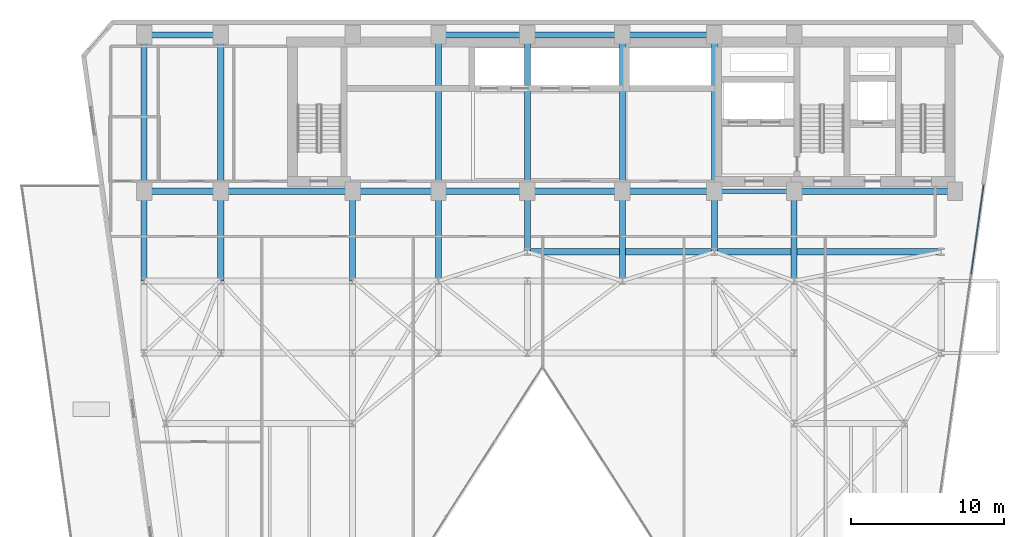
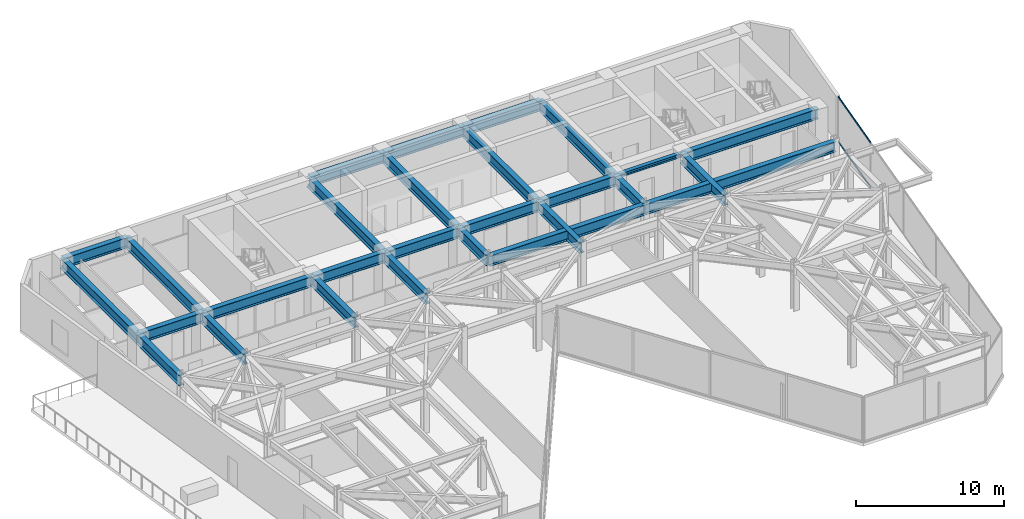
# One storey, part 17 of 24: 28 beams, 2 members, 1 element without a shape of its own.
"""IFC4 building model written with IfcOpenShell, lengths in metres."""

from ifc_helpers import new_model, si_unit, direction, frame, origin, origin_2d, place, context, subcontext, project, spatial, hollow_rectangle, i_section, extrude, material, layer, layer_set, material_profile, profile_set, type_object, element, aggregate, save


model = new_model("IFC4")

# Units and contexts
model_context = context("Model", 3, precision=1e-05, world=origin(), true_north=direction((0.0, 1.0)))
body_context = subcontext(model_context, "Body", "Model", "MODEL_VIEW")
ifc_project = project(units=[si_unit("LENGTHUNIT", "METRE"), si_unit("AREAUNIT", "SQUARE_METRE"), si_unit("VOLUMEUNIT", "CUBIC_METRE"), si_unit("PLANEANGLEUNIT", "RADIAN"), si_unit("MASSUNIT", "GRAM", prefix="KILO")], contexts=[model_context])

# Site, building, storey
site_placement = place(None, origin())
site = spatial("IfcSite", under=ifc_project, at=site_placement, CompositionType="ELEMENT")
building_placement = place(site_placement, origin())
building = spatial("IfcBuilding", under=site, at=building_placement, Name="Kravanh Interchange Tower", CompositionType="ELEMENT")
storey_placement = place(building_placement, frame((0.0, 0.0, 96.0)))
storey = spatial("IfcBuildingStorey", under=building, at=storey_placement, Name="L22", CompositionType="ELEMENT", Elevation=96.0)

# Curtain wall, members
ifc_material_1 = material(Name="Anodised Bronze Aluminium", Category="aluminium")
ifc_layer = layer(ifc_material_1, 0.179931640625)
ifc_layer_set = layer_set([ifc_layer], Name="Unitised Curtain Wall System CW-Z2 Mid Office")
curtain_wall_type = type_object("IfcCurtainWallType", Name="Unitised Curtain Wall System CW-Z2 Mid Office", PredefinedType="NOTDEFINED", material=ifc_layer_set)
curtain_wall_placement = place(storey_placement, origin())
curtain_wall = element("IfcCurtainWall", 1, at=curtain_wall_placement, inside=storey, type_object=curtain_wall_type, Name="L22 Unitised Curtain Wall CW-L22-01", PredefinedType="NOTDEFINED")
ifc_material_2 = material(Name="Anodised Bronze Aluminium", Category="aluminium")
ifc_material_profile_1 = material_profile(ifc_material_2, hollow_rectangle(XDim=0.06005859375, YDim=0.139892578125, WallThickness=0.00390625, at=origin_2d()), Name="ALU60X140X4")
ifc_profile_set_1 = profile_set([ifc_material_profile_1], Name="Anodised Bronze Aluminium")
member_type = type_object("IfcMemberType", Name="Curtain Wall Transom ALU60X140X4 Bronze", PredefinedType="USERDEFINED", material=ifc_profile_set_1)
member_1_placement = place(storey_placement, frame((68.36669921875, 37.740478515625, 0.030029296875), z_axis=(-0.139195052528, -0.990264983402, 0.0), x_axis=(0.990264983402, -0.139195052528, 0.0)))
member_1 = element("IfcMember", 2, at=member_1_placement, type_object=member_type, Name="CW-Z2 transom 1.1", ObjectType="TRANSOM", PredefinedType="USERDEFINED", context=body_context, shape_type="SweptSolid", body=[
    extrude(hollow_rectangle(XDim=0.06005859375, YDim=0.139892578125, WallThickness=0.00390625, at=origin_2d()), origin(), (0.0, 0.0, 1.0), 5.819580078125),
])
member_2_placement = place(storey_placement, frame((68.36669921875, 37.740478515625, 3.719970703125), z_axis=(-0.139195052528, -0.990264983402, 0.0), x_axis=(0.990264983402, -0.139195052528, 0.0)))
member_2 = element("IfcMember", 3, at=member_2_placement, type_object=member_type, Name="CW-Z2 transom 1.2", ObjectType="TRANSOM", PredefinedType="USERDEFINED", context=body_context, shape_type="SweptSolid", body=[
    extrude(hollow_rectangle(XDim=0.06005859375, YDim=0.139892578125, WallThickness=0.00390625, at=origin_2d()), origin(), (0.0, 0.0, 1.0), 5.819580078125),
])
aggregate(curtain_wall, [member_1, member_2])

# Beams
ifc_material_3 = material(Name="Structural Steel S355", Category="steel")
ifc_material_profile_2 = material_profile(ifc_material_3, i_section(OverallWidth=0.39990234375, OverallDepth=0.85595703125, WebThickness=0.018310546875, FlangeThickness=0.029296875, FilletRadius=0.02490234375, at=origin_2d()), Name="W33X201")
ifc_profile_set_2 = profile_set([ifc_material_profile_2], Name="Structural Steel S355")
beam_type_1 = type_object("IfcBeamType", Name="Floor Beam W33X201 Structural Steel S355", PredefinedType="BEAM", material=ifc_profile_set_2)
beam_1_placement = place(storey_placement, frame((66.5, 37.35009765625, 3.322021484375), z_axis=(-1.0, 0.0, 0.0), x_axis=(0.0, -1.0, 0.0)))
element("IfcBeam", 4, at=beam_1_placement, inside=storey, type_object=beam_type_1, Name="L22 Primary Floor Girder 5", PredefinedType="BEAM", context=body_context, shape_type="SweptSolid", body=[
    extrude(i_section(OverallWidth=0.39990234375, OverallDepth=0.85595703125, WebThickness=0.018310546875, FlangeThickness=0.029296875, FilletRadius=0.02490234375, at=origin_2d()), origin(), (0.0, 0.0, 1.0), 10.5),
])
beam_2_placement = place(storey_placement, frame((56.0, 37.35009765625, 3.322021484375), z_axis=(0.0, -1.0, 0.0), x_axis=(1.0, 0.0, 0.0)))
element("IfcBeam", 5, at=beam_2_placement, inside=storey, type_object=beam_type_1, Name="L22 Primary Floor Girder 7", PredefinedType="BEAM", context=body_context, shape_type="SweptSolid", body=[
    extrude(i_section(OverallWidth=0.39990234375, OverallDepth=0.85595703125, WebThickness=0.018310546875, FlangeThickness=0.029296875, FilletRadius=0.02490234375, at=origin_2d()), origin(), (0.0, 0.0, 1.0), 5.85009765625),
])
beam_3_placement = place(storey_placement, frame((50.800048828125, 47.550048828125, 3.322021484375), z_axis=(-1.0, 0.0, 0.0), x_axis=(0.0, -1.0, 0.0)))
element("IfcBeam", 6, at=beam_3_placement, inside=storey, type_object=beam_type_1, Name="L22 Primary Floor Girder 8", PredefinedType="BEAM", context=body_context, shape_type="SweptSolid", body=[
    extrude(i_section(OverallWidth=0.39990234375, OverallDepth=0.85595703125, WebThickness=0.018310546875, FlangeThickness=0.029296875, FilletRadius=0.02490234375, at=origin_2d()), origin(), (0.0, 0.0, 1.0), 6.0),
])
beam_4_placement = place(storey_placement, frame((50.800048828125, 47.550048828125, 3.322021484375), z_axis=(0.0, -1.0, 0.0), x_axis=(1.0, 0.0, 0.0)))
element("IfcBeam", 7, at=beam_4_placement, inside=storey, type_object=beam_type_1, Name="L22 Primary Floor Girder 9", PredefinedType="BEAM", context=body_context, shape_type="SweptSolid", body=[
    extrude(i_section(OverallWidth=0.39990234375, OverallDepth=0.85595703125, WebThickness=0.018310546875, FlangeThickness=0.029296875, FilletRadius=0.02490234375, at=origin_2d()), origin(), (0.0, 0.0, 1.0), 10.199951171875),
])
beam_5_placement = place(storey_placement, frame((50.800048828125, 37.35009765625, 3.322021484375), z_axis=(0.0, -1.0, 0.0), x_axis=(1.0, 0.0, 0.0)))
element("IfcBeam", 8, at=beam_5_placement, inside=storey, type_object=beam_type_1, Name="L22 Primary Floor Girder 10", PredefinedType="BEAM", context=body_context, shape_type="SweptSolid", body=[
    extrude(i_section(OverallWidth=0.39990234375, OverallDepth=0.85595703125, WebThickness=0.018310546875, FlangeThickness=0.029296875, FilletRadius=0.02490234375, at=origin_2d()), origin(), (0.0, 0.0, 1.0), 3.9501953125),
])
beam_6_placement = place(storey_placement, frame((50.800048828125, 37.35009765625, 3.322021484375), z_axis=(-1.0, 0.0, 0.0), x_axis=(0.0, -1.0, 0.0)))
element("IfcBeam", 9, at=beam_6_placement, inside=storey, type_object=beam_type_1, Name="L22 Primary Floor Girder 11", PredefinedType="BEAM", context=body_context, shape_type="SweptSolid", body=[
    extrude(i_section(OverallWidth=0.39990234375, OverallDepth=0.85595703125, WebThickness=0.018310546875, FlangeThickness=0.029296875, FilletRadius=0.02490234375, at=origin_2d()), origin(), (0.0, 0.0, 1.0), 6.0),
])
beam_7_placement = place(storey_placement, frame((44.800048828125, 37.35009765625, 3.322021484375), z_axis=(0.0, -1.0, 0.0), x_axis=(1.0, 0.0, 0.0)))
element("IfcBeam", 10, at=beam_7_placement, inside=storey, type_object=beam_type_1, Name="L22 Primary Floor Girder 12", PredefinedType="BEAM", context=body_context, shape_type="SweptSolid", body=[
    extrude(i_section(OverallWidth=0.39990234375, OverallDepth=0.85595703125, WebThickness=0.018310546875, FlangeThickness=0.029296875, FilletRadius=0.02490234375, at=origin_2d()), origin(), (0.0, 0.0, 1.0), 5.85009765625),
])
beam_8_placement = place(storey_placement, frame((44.800048828125, 37.35009765625, 3.322021484375), z_axis=(-1.0, 0.0, 0.0), x_axis=(0.0, -1.0, 0.0)))
element("IfcBeam", 11, at=beam_8_placement, inside=storey, type_object=beam_type_1, Name="L22 Primary Floor Girder 13", PredefinedType="BEAM", context=body_context, shape_type="SweptSolid", body=[
    extrude(i_section(OverallWidth=0.39990234375, OverallDepth=0.85595703125, WebThickness=0.018310546875, FlangeThickness=0.029296875, FilletRadius=0.02490234375, at=origin_2d()), origin(), (0.0, 0.0, 1.0), 6.199951171875),
])
beam_9_placement = place(storey_placement, frame((44.800048828125, 37.35009765625, 3.322021484375), z_axis=(0.0, 1.0, 0.0), x_axis=(-1.0, 0.0, 0.0)))
element("IfcBeam", 12, at=beam_9_placement, inside=storey, type_object=beam_type_1, Name="L22 Primary Floor Girder 14", PredefinedType="BEAM", context=body_context, shape_type="SweptSolid", body=[
    extrude(i_section(OverallWidth=0.39990234375, OverallDepth=0.85595703125, WebThickness=0.018310546875, FlangeThickness=0.029296875, FilletRadius=0.02490234375, at=origin_2d()), origin(), (0.0, 0.0, 1.0), 10.199951171875),
])
beam_10_placement = place(storey_placement, frame((44.800048828125, 47.550048828125, 3.322021484375), z_axis=(-1.0, 0.0, 0.0), x_axis=(0.0, -1.0, 0.0)))
element("IfcBeam", 13, at=beam_10_placement, inside=storey, type_object=beam_type_1, Name="L22 Primary Floor Girder 15", PredefinedType="BEAM", context=body_context, shape_type="SweptSolid", body=[
    extrude(i_section(OverallWidth=0.39990234375, OverallDepth=0.85595703125, WebThickness=0.018310546875, FlangeThickness=0.029296875, FilletRadius=0.02490234375, at=origin_2d()), origin(), (0.0, 0.0, 1.0), 6.199951171875),
])
beam_11_placement = place(storey_placement, frame((38.60009765625, 37.35009765625, 3.322021484375), z_axis=(0.0, -1.0, 0.0), x_axis=(1.0, 0.0, 0.0)))
element("IfcBeam", 14, at=beam_11_placement, inside=storey, type_object=beam_type_1, Name="L22 Primary Floor Girder 16", PredefinedType="BEAM", context=body_context, shape_type="SweptSolid", body=[
    extrude(i_section(OverallWidth=0.39990234375, OverallDepth=0.85595703125, WebThickness=0.018310546875, FlangeThickness=0.029296875, FilletRadius=0.02490234375, at=origin_2d()), origin(), (0.0, 0.0, 1.0), 3.9501953125),
])
beam_12_placement = place(storey_placement, frame((38.60009765625, 37.35009765625, 3.322021484375), z_axis=(-1.0, 0.0, 0.0), x_axis=(0.0, -1.0, 0.0)))
element("IfcBeam", 15, at=beam_12_placement, inside=storey, type_object=beam_type_1, Name="L22 Primary Floor Girder 17", PredefinedType="BEAM", context=body_context, shape_type="SweptSolid", body=[
    extrude(i_section(OverallWidth=0.39990234375, OverallDepth=0.85595703125, WebThickness=0.018310546875, FlangeThickness=0.029296875, FilletRadius=0.02490234375, at=origin_2d()), origin(), (0.0, 0.0, 1.0), 5.800048828125),
])
beam_13_placement = place(storey_placement, frame((38.60009765625, 37.35009765625, 3.322021484375), z_axis=(0.0, 1.0, 0.0), x_axis=(-1.0, 0.0, 0.0)))
element("IfcBeam", 16, at=beam_13_placement, inside=storey, type_object=beam_type_1, Name="L22 Primary Floor Girder 18", PredefinedType="BEAM", context=body_context, shape_type="SweptSolid", body=[
    extrude(i_section(OverallWidth=0.39990234375, OverallDepth=0.85595703125, WebThickness=0.018310546875, FlangeThickness=0.029296875, FilletRadius=0.02490234375, at=origin_2d()), origin(), (0.0, 0.0, 1.0), 10.199951171875),
])
beam_14_placement = place(storey_placement, frame((38.60009765625, 47.550048828125, 3.322021484375), z_axis=(-1.0, 0.0, 0.0), x_axis=(0.0, -1.0, 0.0)))
element("IfcBeam", 17, at=beam_14_placement, inside=storey, type_object=beam_type_1, Name="L22 Primary Floor Girder 19", PredefinedType="BEAM", context=body_context, shape_type="SweptSolid", body=[
    extrude(i_section(OverallWidth=0.39990234375, OverallDepth=0.85595703125, WebThickness=0.018310546875, FlangeThickness=0.029296875, FilletRadius=0.02490234375, at=origin_2d()), origin(), (0.0, 0.0, 1.0), 5.800048828125),
])
beam_15_placement = place(storey_placement, frame((32.800048828125, 37.35009765625, 3.322021484375), z_axis=(-1.0, 0.0, 0.0), x_axis=(0.0, -1.0, 0.0)))
element("IfcBeam", 18, at=beam_15_placement, inside=storey, type_object=beam_type_1, Name="L22 Primary Floor Girder 20", PredefinedType="BEAM", context=body_context, shape_type="SweptSolid", body=[
    extrude(i_section(OverallWidth=0.39990234375, OverallDepth=0.85595703125, WebThickness=0.018310546875, FlangeThickness=0.029296875, FilletRadius=0.02490234375, at=origin_2d()), origin(), (0.0, 0.0, 1.0), 5.60009765625),
])
beam_16_placement = place(storey_placement, frame((32.800048828125, 37.35009765625, 3.322021484375), z_axis=(0.0, -1.0, 0.0), x_axis=(1.0, 0.0, 0.0)))
element("IfcBeam", 19, at=beam_16_placement, inside=storey, type_object=beam_type_1, Name="L22 Primary Floor Girder 21", PredefinedType="BEAM", context=body_context, shape_type="SweptSolid", body=[
    extrude(i_section(OverallWidth=0.39990234375, OverallDepth=0.85595703125, WebThickness=0.018310546875, FlangeThickness=0.029296875, FilletRadius=0.02490234375, at=origin_2d()), origin(), (0.0, 0.0, 1.0), 5.85009765625),
])
beam_17_placement = place(storey_placement, frame((32.800048828125, 37.35009765625, 3.322021484375), z_axis=(0.0, 1.0, 0.0), x_axis=(-1.0, 0.0, 0.0)))
element("IfcBeam", 20, at=beam_17_placement, inside=storey, type_object=beam_type_1, Name="L22 Primary Floor Girder 22", PredefinedType="BEAM", context=body_context, shape_type="SweptSolid", body=[
    extrude(i_section(OverallWidth=0.39990234375, OverallDepth=0.85595703125, WebThickness=0.018310546875, FlangeThickness=0.029296875, FilletRadius=0.02490234375, at=origin_2d()), origin(), (0.0, 0.0, 1.0), 10.199951171875),
])
beam_18_placement = place(storey_placement, frame((27.199951171875, 37.35009765625, 3.322021484375), z_axis=(0.0, -1.0, 0.0), x_axis=(1.0, 0.0, 0.0)))
element("IfcBeam", 21, at=beam_18_placement, inside=storey, type_object=beam_type_1, Name="L22 Primary Floor Girder 24", PredefinedType="BEAM", context=body_context, shape_type="SweptSolid", body=[
    extrude(i_section(OverallWidth=0.39990234375, OverallDepth=0.85595703125, WebThickness=0.018310546875, FlangeThickness=0.029296875, FilletRadius=0.02490234375, at=origin_2d()), origin(), (0.0, 0.0, 1.0), 5.85009765625),
])
beam_19_placement = place(storey_placement, frame((27.199951171875, 37.35009765625, 3.322021484375), z_axis=(-1.0, 0.0, 0.0), x_axis=(0.0, -1.0, 0.0)))
element("IfcBeam", 22, at=beam_19_placement, inside=storey, type_object=beam_type_1, Name="L22 Primary Floor Girder 25", PredefinedType="BEAM", context=body_context, shape_type="SweptSolid", body=[
    extrude(i_section(OverallWidth=0.39990234375, OverallDepth=0.85595703125, WebThickness=0.018310546875, FlangeThickness=0.029296875, FilletRadius=0.02490234375, at=origin_2d()), origin(), (0.0, 0.0, 1.0), 8.599853515625),
])
beam_20_placement = place(storey_placement, frame((18.60009765625, 37.35009765625, 3.322021484375), z_axis=(-1.0, 0.0, 0.0), x_axis=(0.0, -1.0, 0.0)))
element("IfcBeam", 23, at=beam_20_placement, inside=storey, type_object=beam_type_1, Name="L22 Primary Floor Girder 28", PredefinedType="BEAM", context=body_context, shape_type="SweptSolid", body=[
    extrude(i_section(OverallWidth=0.39990234375, OverallDepth=0.85595703125, WebThickness=0.018310546875, FlangeThickness=0.029296875, FilletRadius=0.02490234375, at=origin_2d()), origin(), (0.0, 0.0, 1.0), 5.0),
])
beam_21_placement = place(storey_placement, frame((18.60009765625, 37.35009765625, 3.322021484375), z_axis=(0.0, -1.0, 0.0), x_axis=(1.0, 0.0, 0.0)))
element("IfcBeam", 24, at=beam_21_placement, inside=storey, type_object=beam_type_1, Name="L22 Primary Floor Girder 29", PredefinedType="BEAM", context=body_context, shape_type="SweptSolid", body=[
    extrude(i_section(OverallWidth=0.39990234375, OverallDepth=0.85595703125, WebThickness=0.018310546875, FlangeThickness=0.029296875, FilletRadius=0.02490234375, at=origin_2d()), origin(), (0.0, 0.0, 1.0), 5.85009765625),
])
beam_22_placement = place(storey_placement, frame((18.60009765625, 37.35009765625, 3.322021484375), z_axis=(0.0, 1.0, 0.0), x_axis=(-1.0, 0.0, 0.0)))
element("IfcBeam", 25, at=beam_22_placement, inside=storey, type_object=beam_type_1, Name="L22 Primary Floor Girder 30", PredefinedType="BEAM", context=body_context, shape_type="SweptSolid", body=[
    extrude(i_section(OverallWidth=0.39990234375, OverallDepth=0.85595703125, WebThickness=0.018310546875, FlangeThickness=0.029296875, FilletRadius=0.02490234375, at=origin_2d()), origin(), (0.0, 0.0, 1.0), 10.199951171875),
])
beam_23_placement = place(storey_placement, frame((18.60009765625, 47.550048828125, 3.322021484375), z_axis=(-1.0, 0.0, 0.0), x_axis=(0.0, -1.0, 0.0)))
element("IfcBeam", 26, at=beam_23_placement, inside=storey, type_object=beam_type_1, Name="L22 Primary Floor Girder 31", PredefinedType="BEAM", context=body_context, shape_type="SweptSolid", body=[
    extrude(i_section(OverallWidth=0.39990234375, OverallDepth=0.85595703125, WebThickness=0.018310546875, FlangeThickness=0.029296875, FilletRadius=0.02490234375, at=origin_2d()), origin(), (0.0, 0.0, 1.0), 5.0),
])
beam_24_placement = place(storey_placement, frame((13.60009765625, 37.35009765625, 3.322021484375), z_axis=(0.0, -1.0, 0.0), x_axis=(1.0, 0.0, 0.0)))
element("IfcBeam", 27, at=beam_24_placement, inside=storey, type_object=beam_type_1, Name="L22 Primary Floor Girder 32", PredefinedType="BEAM", context=body_context, shape_type="SweptSolid", body=[
    extrude(i_section(OverallWidth=0.39990234375, OverallDepth=0.85595703125, WebThickness=0.018310546875, FlangeThickness=0.029296875, FilletRadius=0.02490234375, at=origin_2d()), origin(), (0.0, 0.0, 1.0), 5.85009765625),
])
beam_25_placement = place(storey_placement, frame((13.60009765625, 37.35009765625, 3.322021484375), z_axis=(0.0, 1.0, 0.0), x_axis=(-1.0, 0.0, 0.0)))
element("IfcBeam", 28, at=beam_25_placement, inside=storey, type_object=beam_type_1, Name="L22 Primary Floor Girder 33", PredefinedType="BEAM", context=body_context, shape_type="SweptSolid", body=[
    extrude(i_section(OverallWidth=0.39990234375, OverallDepth=0.85595703125, WebThickness=0.018310546875, FlangeThickness=0.029296875, FilletRadius=0.02490234375, at=origin_2d()), origin(), (0.0, 0.0, 1.0), 10.199951171875),
])
beam_26_placement = place(storey_placement, frame((38.60009765625, 33.39990234375, 3.322021484375), z_axis=(1.0, 0.0, 0.0), x_axis=(0.0, 1.0, 0.0)))
element("IfcBeam", 29, at=beam_26_placement, inside=storey, type_object=beam_type_1, Name="L22 Primary Floor Girder 111", PredefinedType="BEAM", context=body_context, shape_type="SweptSolid", body=[
    extrude(i_section(OverallWidth=0.39990234375, OverallDepth=0.85595703125, WebThickness=0.018310546875, FlangeThickness=0.029296875, FilletRadius=0.02490234375, at=origin_2d()), origin(), (0.0, 0.0, 1.0), 12.199951171875),
])
beam_27_placement = place(storey_placement, frame((50.800048828125, 33.39990234375, 3.322021484375), z_axis=(1.0, 0.0, 0.0), x_axis=(0.0, 1.0, 0.0)))
element("IfcBeam", 30, at=beam_27_placement, inside=storey, type_object=beam_type_1, Name="L22 Primary Floor Girder 112", PredefinedType="BEAM", context=body_context, shape_type="SweptSolid", body=[
    extrude(i_section(OverallWidth=0.39990234375, OverallDepth=0.85595703125, WebThickness=0.018310546875, FlangeThickness=0.029296875, FilletRadius=0.02490234375, at=origin_2d()), origin(), (0.0, 0.0, 1.0), 14.800048828125),
])
ifc_material_4 = material(Name="Structural Steel S355", Category="steel")
ifc_material_profile_3 = material_profile(ifc_material_4, i_section(OverallWidth=0.304931640625, OverallDepth=0.306884765625, WebThickness=0.010009765625, FlangeThickness=0.015380859375, FilletRadius=0.014892578125, at=origin_2d()), Name="W12X65")
ifc_profile_set_3 = profile_set([ifc_material_profile_3], Name="Structural Steel S355")
beam_type_2 = type_object("IfcBeamType", Name="Floor Lintel W12X65 Structural Steel S355", PredefinedType="LINTEL", material=ifc_profile_set_3)
beam_28_placement = place(storey_placement, frame((50.800048828125, 37.35009765625, 3.596435546875), z_axis=(1.0, 0.0, 0.0), x_axis=(0.0, 1.0, 0.0)))
element("IfcBeam", 31, at=beam_28_placement, inside=storey, type_object=beam_type_2, Name="L22 Core Coupling Lintel 1", PredefinedType="LINTEL", context=body_context, shape_type="SweptSolid", body=[
    extrude(i_section(OverallWidth=0.304931640625, OverallDepth=0.306884765625, WebThickness=0.010009765625, FlangeThickness=0.015380859375, FilletRadius=0.014892578125, at=origin_2d()), origin(), (0.0, 0.0, 1.0), 5.199951171875),
])

save(model, "model.ifc")
